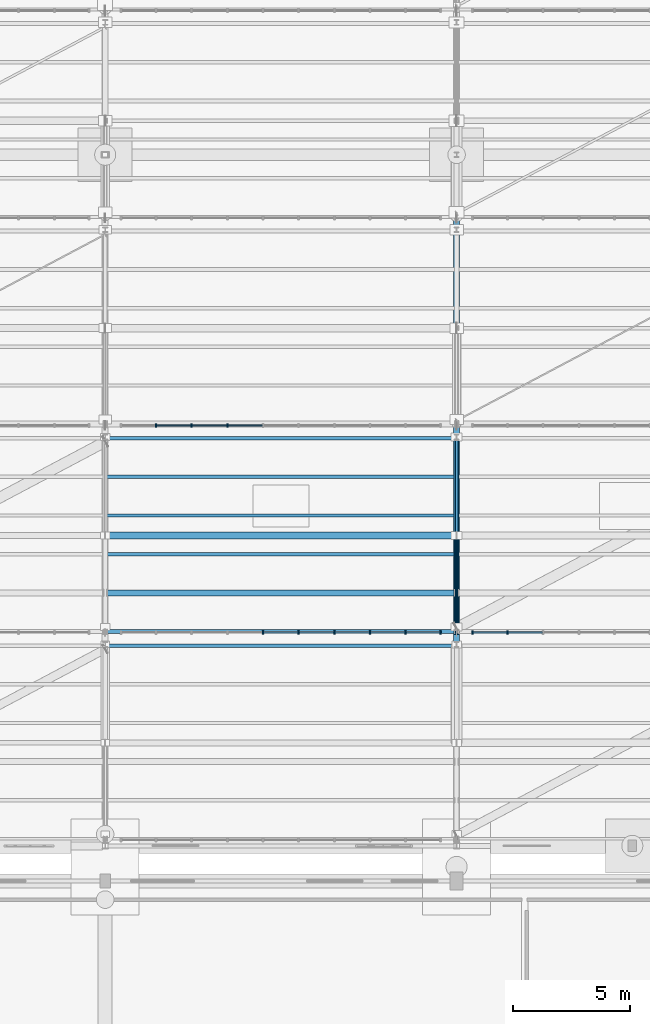
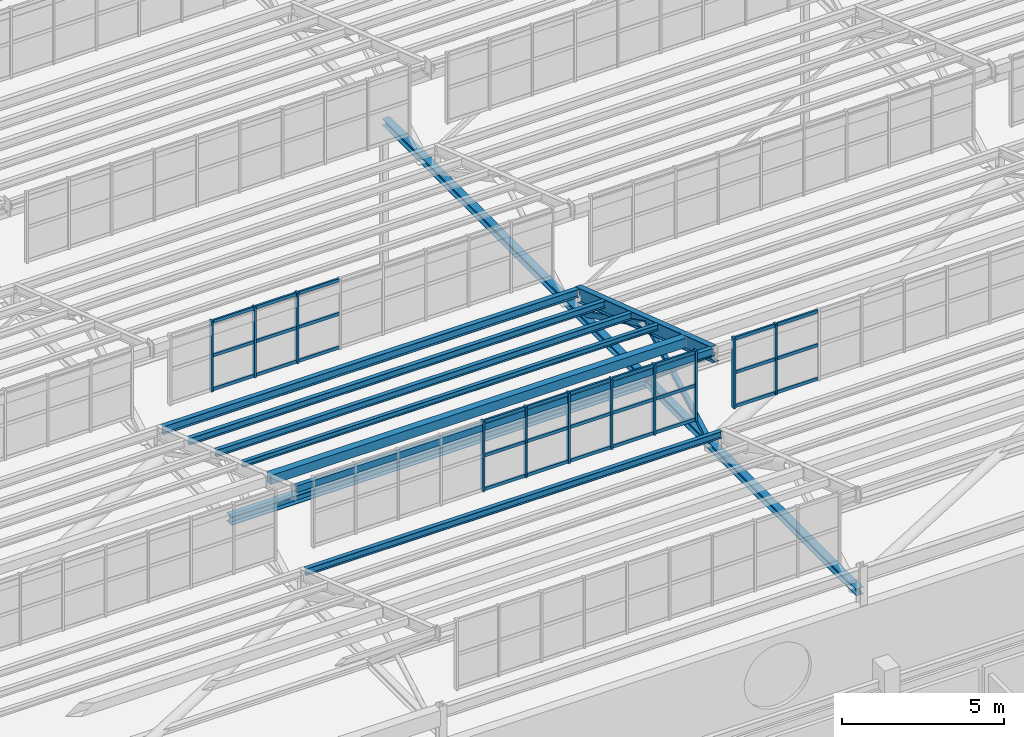
# One storey, part 54 of 285: 45 members, 9 beams, 3 elements without a shape of their own.
"""IFC4 building model written with IfcOpenShell, lengths in metres."""

from ifc_helpers import new_model, si_unit, direction, frame, origin, origin_2d, place, context, subcontext, project, spatial, rectangle, hollow_rectangle, hollow_circle, i_section, extrude, material, material_profile, profile_set, type_object, element, aggregate, save


model = new_model("IFC4")

# Units and contexts
model_context = context("Model", 3, precision=1e-05, world=origin(), true_north=direction((0.0, 1.0)))
body_context = subcontext(model_context, "Body", "Model", "MODEL_VIEW")
ifc_project = project(units=[si_unit("LENGTHUNIT", "METRE"), si_unit("AREAUNIT", "SQUARE_METRE"), si_unit("VOLUMEUNIT", "CUBIC_METRE"), si_unit("PLANEANGLEUNIT", "RADIAN"), si_unit("MASSUNIT", "GRAM", prefix="KILO")], contexts=[model_context])

# Site, building, storey
site_placement = place(None, origin())
site = spatial("IfcSite", under=ifc_project, at=site_placement, CompositionType="ELEMENT")
building_placement = place(site_placement, origin())
building = spatial("IfcBuilding", under=site, at=building_placement, Name="Solanera Park Tramway Depot", CompositionType="ELEMENT")
storey_placement = place(building_placement, origin())
storey = spatial("IfcBuildingStorey", under=building, at=storey_placement, Name="L00", CompositionType="ELEMENT", Elevation=0.0)

# Curtain wall, members
ifc_material_1 = material(Name="Bronze-anodised thermally broken aluminium curtain wall", Category="aluminium")
curtain_wall_type = type_object("IfcCurtainWallType", Name="Sawtooth Clerestory Monitor Curtain Wall", PredefinedType="NOTDEFINED", material=ifc_material_1)
curtain_wall_1_placement = place(storey_placement, origin())
curtain_wall_1 = element("IfcCurtainWall", 1, at=curtain_wall_1_placement, inside=storey, type_object=curtain_wall_type, Name="L00 Sawtooth Clerestory Monitor Curtain Wall #005", PredefinedType="NOTDEFINED")
ifc_material_2 = material(Name="Bronze-anodised structural aluminium 6063-T6", Category="aluminium")
ifc_material_profile_1 = material_profile(ifc_material_2, rectangle(XDim=0.06494140625, YDim=0.14990234375, at=origin_2d()), Name="Curtain Wall Mullion 65x150")
ifc_profile_set_1 = profile_set([ifc_material_profile_1], Name="Bronze-anodised structural aluminium 6063-T6")
member_type_1 = type_object("IfcMemberType", Name="Curtain Wall Mullion 65x150", PredefinedType="MULLION", material=ifc_profile_set_1)
member_1_placement = place(storey_placement, frame((36.739013671875, 64.60009765625, 7.75), z_axis=(0.0, 0.0, 1.0), x_axis=(1.0, 0.0, 0.0)))
member_1 = element("IfcMember", 2, at=member_1_placement, type_object=member_type_1, Name="CW-L00-005 Mullion 5", PredefinedType="MULLION", context=body_context, shape_type="SweptSolid", body=[
    extrude(rectangle(XDim=0.06494140625, YDim=0.14990234375, at=origin_2d()), origin(), (0.0, 0.0, 1.0), 2.6611328125),
])
member_2_placement = place(storey_placement, frame((38.260986328125, 64.60009765625, 7.75), z_axis=(0.0, 0.0, 1.0), x_axis=(1.0, 0.0, 0.0)))
member_2 = element("IfcMember", 3, at=member_2_placement, type_object=member_type_1, Name="CW-L00-005 Mullion 6", PredefinedType="MULLION", context=body_context, shape_type="SweptSolid", body=[
    extrude(rectangle(XDim=0.06494140625, YDim=0.14990234375, at=origin_2d()), origin(), (0.0, 0.0, 1.0), 2.6611328125),
])
member_3_placement = place(storey_placement, frame((39.783203125, 64.60009765625, 7.75), z_axis=(0.0, 0.0, 1.0), x_axis=(1.0, 0.0, 0.0)))
member_3 = element("IfcMember", 4, at=member_3_placement, type_object=member_type_1, Name="CW-L00-005 Mullion 7", PredefinedType="MULLION", context=body_context, shape_type="SweptSolid", body=[
    extrude(rectangle(XDim=0.06494140625, YDim=0.14990234375, at=origin_2d()), origin(), (0.0, 0.0, 1.0), 2.6611328125),
])
member_4_placement = place(storey_placement, frame((41.3056640625, 64.60009765625, 7.75), z_axis=(0.0, 0.0, 1.0), x_axis=(1.0, 0.0, 0.0)))
member_4 = element("IfcMember", 5, at=member_4_placement, type_object=member_type_1, Name="CW-L00-005 Mullion 8", PredefinedType="MULLION", context=body_context, shape_type="SweptSolid", body=[
    extrude(rectangle(XDim=0.06494140625, YDim=0.14990234375, at=origin_2d()), origin(), (0.0, 0.0, 1.0), 2.6611328125),
])
member_5_placement = place(storey_placement, frame((42.827880859375, 64.60009765625, 7.75), z_axis=(0.0, 0.0, 1.0), x_axis=(1.0, 0.0, 0.0)))
member_5 = element("IfcMember", 6, at=member_5_placement, type_object=member_type_1, Name="CW-L00-005 Mullion 9", PredefinedType="MULLION", context=body_context, shape_type="SweptSolid", body=[
    extrude(rectangle(XDim=0.06494140625, YDim=0.14990234375, at=origin_2d()), origin(), (0.0, 0.0, 1.0), 2.6611328125),
])
member_6_placement = place(storey_placement, frame((44.3173828125, 64.60009765625, 7.75), z_axis=(0.0, 0.0, 1.0), x_axis=(1.0, 0.0, 0.0)))
member_6 = element("IfcMember", 7, at=member_6_placement, type_object=member_type_1, Name="CW-L00-005 Mullion 10", PredefinedType="MULLION", context=body_context, shape_type="SweptSolid", body=[
    extrude(rectangle(XDim=0.06494140625, YDim=0.14990234375, at=origin_2d()), origin(), (0.0, 0.0, 1.0), 2.6611328125),
])

curtain_wall_2_placement = place(storey_placement, origin())
curtain_wall_2 = element("IfcCurtainWall", 8, at=curtain_wall_2_placement, inside=storey, type_object=curtain_wall_type, Name="L00 Sawtooth Clerestory Monitor Curtain Wall #006", PredefinedType="NOTDEFINED")
member_7_placement = place(storey_placement, frame((45.6826171875, 64.60009765625, 7.75), z_axis=(0.0, 0.0, 1.0), x_axis=(1.0, 0.0, 0.0)))
member_7 = element("IfcMember", 9, at=member_7_placement, type_object=member_type_1, Name="CW-L00-006 Mullion 1", PredefinedType="MULLION", context=body_context, shape_type="SweptSolid", body=[
    extrude(rectangle(XDim=0.06494140625, YDim=0.14990234375, at=origin_2d()), origin(), (0.0, 0.0, 1.0), 2.6611328125),
])
member_8_placement = place(storey_placement, frame((47.172119140625, 64.60009765625, 7.75), z_axis=(0.0, 0.0, 1.0), x_axis=(1.0, 0.0, 0.0)))
member_8 = element("IfcMember", 10, at=member_8_placement, type_object=member_type_1, Name="CW-L00-006 Mullion 2", PredefinedType="MULLION", context=body_context, shape_type="SweptSolid", body=[
    extrude(rectangle(XDim=0.06494140625, YDim=0.14990234375, at=origin_2d()), origin(), (0.0, 0.0, 1.0), 2.6611328125),
])

curtain_wall_3_placement = place(storey_placement, origin())
curtain_wall_3 = element("IfcCurtainWall", 11, at=curtain_wall_3_placement, inside=storey, type_object=curtain_wall_type, Name="L00 Sawtooth Clerestory Monitor Curtain Wall #013", PredefinedType="NOTDEFINED")
member_9_placement = place(storey_placement, frame((32.172119140625, 73.449951171875, 7.75), z_axis=(0.0, 0.0, 1.0), x_axis=(1.0, 0.0, 0.0)))
member_9 = element("IfcMember", 12, at=member_9_placement, type_object=member_type_1, Name="CW-L00-013 Mullion 2", PredefinedType="MULLION", context=body_context, shape_type="SweptSolid", body=[
    extrude(rectangle(XDim=0.06494140625, YDim=0.14990234375, at=origin_2d()), origin(), (0.0, 0.0, 1.0), 2.6611328125),
])
member_10_placement = place(storey_placement, frame((33.6943359375, 73.449951171875, 7.75), z_axis=(0.0, 0.0, 1.0), x_axis=(1.0, 0.0, 0.0)))
member_10 = element("IfcMember", 13, at=member_10_placement, type_object=member_type_1, Name="CW-L00-013 Mullion 3", PredefinedType="MULLION", context=body_context, shape_type="SweptSolid", body=[
    extrude(rectangle(XDim=0.06494140625, YDim=0.14990234375, at=origin_2d()), origin(), (0.0, 0.0, 1.0), 2.6611328125),
])
member_11_placement = place(storey_placement, frame((35.216796875, 73.449951171875, 7.75), z_axis=(0.0, 0.0, 1.0), x_axis=(1.0, 0.0, 0.0)))
member_11 = element("IfcMember", 14, at=member_11_placement, type_object=member_type_1, Name="CW-L00-013 Mullion 4", PredefinedType="MULLION", context=body_context, shape_type="SweptSolid", body=[
    extrude(rectangle(XDim=0.06494140625, YDim=0.14990234375, at=origin_2d()), origin(), (0.0, 0.0, 1.0), 2.6611328125),
])

# Member
ifc_material_3 = material(Name="Bronze-anodised structural aluminium 6063-T6", Category="aluminium")
ifc_material_profile_2 = material_profile(ifc_material_3, rectangle(XDim=0.06494140625, YDim=0.1201171875, at=origin_2d()), Name="Curtain Wall Transom 65x120")
ifc_profile_set_2 = profile_set([ifc_material_profile_2], Name="Bronze-anodised structural aluminium 6063-T6")
member_type_2 = type_object("IfcMemberType", Name="Curtain Wall Transom 65x120", PredefinedType="USERDEFINED", material=ifc_profile_set_2)
member_12_placement = place(storey_placement, frame((36.766845703125, 64.60009765625, 7.81005859375), z_axis=(1.0, 0.0, 0.0), x_axis=(0.0, 1.0, 0.0)))
member_12 = element("IfcMember", 15, at=member_12_placement, type_object=member_type_2, Name="CW-L00-005 Transom R1.C5", ObjectType="TRANSOM", PredefinedType="USERDEFINED", context=body_context, shape_type="SweptSolid", body=[
    extrude(rectangle(XDim=0.06494140625, YDim=0.1201171875, at=origin_2d()), origin(), (0.0, 0.0, 1.0), 1.46630859375),
])

member_13_placement = place(storey_placement, frame((38.2890625, 64.60009765625, 7.81005859375), z_axis=(1.0, 0.0, 0.0), x_axis=(0.0, 1.0, 0.0)))
member_13 = element("IfcMember", 16, at=member_13_placement, type_object=member_type_2, Name="CW-L00-005 Transom R1.C6", ObjectType="TRANSOM", PredefinedType="USERDEFINED", context=body_context, shape_type="SweptSolid", body=[
    extrude(rectangle(XDim=0.06494140625, YDim=0.1201171875, at=origin_2d()), origin(), (0.0, 0.0, 1.0), 1.46630859375),
])

member_14_placement = place(storey_placement, frame((39.811279296875, 64.60009765625, 7.81005859375), z_axis=(1.0, 0.0, 0.0), x_axis=(0.0, 1.0, 0.0)))
member_14 = element("IfcMember", 17, at=member_14_placement, type_object=member_type_2, Name="CW-L00-005 Transom R1.C7", ObjectType="TRANSOM", PredefinedType="USERDEFINED", context=body_context, shape_type="SweptSolid", body=[
    extrude(rectangle(XDim=0.06494140625, YDim=0.1201171875, at=origin_2d()), origin(), (0.0, 0.0, 1.0), 1.46630859375),
])

member_15_placement = place(storey_placement, frame((41.33349609375, 64.60009765625, 7.81005859375), z_axis=(1.0, 0.0, 0.0), x_axis=(0.0, 1.0, 0.0)))
member_15 = element("IfcMember", 18, at=member_15_placement, type_object=member_type_2, Name="CW-L00-005 Transom R1.C8", ObjectType="TRANSOM", PredefinedType="USERDEFINED", context=body_context, shape_type="SweptSolid", body=[
    extrude(rectangle(XDim=0.06494140625, YDim=0.1201171875, at=origin_2d()), origin(), (0.0, 0.0, 1.0), 1.46630859375),
])

member_16_placement = place(storey_placement, frame((42.855712890625, 64.60009765625, 7.81005859375), z_axis=(1.0, 0.0, 0.0), x_axis=(0.0, 1.0, 0.0)))
member_16 = element("IfcMember", 19, at=member_16_placement, type_object=member_type_2, Name="CW-L00-005 Transom R1.C9", ObjectType="TRANSOM", PredefinedType="USERDEFINED", context=body_context, shape_type="SweptSolid", body=[
    extrude(rectangle(XDim=0.06494140625, YDim=0.1201171875, at=origin_2d()), origin(), (0.0, 0.0, 1.0), 1.433837890625),
])

member_17_placement = place(storey_placement, frame((36.766845703125, 64.60009765625, 9.08056640625), z_axis=(1.0, 0.0, 0.0), x_axis=(0.0, 1.0, 0.0)))
member_17 = element("IfcMember", 20, at=member_17_placement, type_object=member_type_2, Name="CW-L00-005 Transom R2.C5", ObjectType="TRANSOM", PredefinedType="USERDEFINED", context=body_context, shape_type="SweptSolid", body=[
    extrude(rectangle(XDim=0.06494140625, YDim=0.1201171875, at=origin_2d()), origin(), (0.0, 0.0, 1.0), 1.46630859375),
])

member_18_placement = place(storey_placement, frame((38.2890625, 64.60009765625, 9.08056640625), z_axis=(1.0, 0.0, 0.0), x_axis=(0.0, 1.0, 0.0)))
member_18 = element("IfcMember", 21, at=member_18_placement, type_object=member_type_2, Name="CW-L00-005 Transom R2.C6", ObjectType="TRANSOM", PredefinedType="USERDEFINED", context=body_context, shape_type="SweptSolid", body=[
    extrude(rectangle(XDim=0.06494140625, YDim=0.1201171875, at=origin_2d()), origin(), (0.0, 0.0, 1.0), 1.46630859375),
])

member_19_placement = place(storey_placement, frame((39.811279296875, 64.60009765625, 9.08056640625), z_axis=(1.0, 0.0, 0.0), x_axis=(0.0, 1.0, 0.0)))
member_19 = element("IfcMember", 22, at=member_19_placement, type_object=member_type_2, Name="CW-L00-005 Transom R2.C7", ObjectType="TRANSOM", PredefinedType="USERDEFINED", context=body_context, shape_type="SweptSolid", body=[
    extrude(rectangle(XDim=0.06494140625, YDim=0.1201171875, at=origin_2d()), origin(), (0.0, 0.0, 1.0), 1.46630859375),
])

member_20_placement = place(storey_placement, frame((41.33349609375, 64.60009765625, 9.08056640625), z_axis=(1.0, 0.0, 0.0), x_axis=(0.0, 1.0, 0.0)))
member_20 = element("IfcMember", 23, at=member_20_placement, type_object=member_type_2, Name="CW-L00-005 Transom R2.C8", ObjectType="TRANSOM", PredefinedType="USERDEFINED", context=body_context, shape_type="SweptSolid", body=[
    extrude(rectangle(XDim=0.06494140625, YDim=0.1201171875, at=origin_2d()), origin(), (0.0, 0.0, 1.0), 1.46630859375),
])

member_21_placement = place(storey_placement, frame((42.855712890625, 64.60009765625, 9.08056640625), z_axis=(1.0, 0.0, 0.0), x_axis=(0.0, 1.0, 0.0)))
member_21 = element("IfcMember", 24, at=member_21_placement, type_object=member_type_2, Name="CW-L00-005 Transom R2.C9", ObjectType="TRANSOM", PredefinedType="USERDEFINED", context=body_context, shape_type="SweptSolid", body=[
    extrude(rectangle(XDim=0.06494140625, YDim=0.1201171875, at=origin_2d()), origin(), (0.0, 0.0, 1.0), 1.433837890625),
])

member_22_placement = place(storey_placement, frame((36.766845703125, 64.60009765625, 10.351318359375), z_axis=(1.0, 0.0, 0.0), x_axis=(0.0, 1.0, 0.0)))
member_22 = element("IfcMember", 25, at=member_22_placement, type_object=member_type_2, Name="CW-L00-005 Transom R3.C5", ObjectType="TRANSOM", PredefinedType="USERDEFINED", context=body_context, shape_type="SweptSolid", body=[
    extrude(rectangle(XDim=0.06494140625, YDim=0.1201171875, at=origin_2d()), origin(), (0.0, 0.0, 1.0), 1.46630859375),
])

member_23_placement = place(storey_placement, frame((38.2890625, 64.60009765625, 10.351318359375), z_axis=(1.0, 0.0, 0.0), x_axis=(0.0, 1.0, 0.0)))
member_23 = element("IfcMember", 26, at=member_23_placement, type_object=member_type_2, Name="CW-L00-005 Transom R3.C6", ObjectType="TRANSOM", PredefinedType="USERDEFINED", context=body_context, shape_type="SweptSolid", body=[
    extrude(rectangle(XDim=0.06494140625, YDim=0.1201171875, at=origin_2d()), origin(), (0.0, 0.0, 1.0), 1.46630859375),
])

member_24_placement = place(storey_placement, frame((39.811279296875, 64.60009765625, 10.351318359375), z_axis=(1.0, 0.0, 0.0), x_axis=(0.0, 1.0, 0.0)))
member_24 = element("IfcMember", 27, at=member_24_placement, type_object=member_type_2, Name="CW-L00-005 Transom R3.C7", ObjectType="TRANSOM", PredefinedType="USERDEFINED", context=body_context, shape_type="SweptSolid", body=[
    extrude(rectangle(XDim=0.06494140625, YDim=0.1201171875, at=origin_2d()), origin(), (0.0, 0.0, 1.0), 1.46630859375),
])

member_25_placement = place(storey_placement, frame((41.33349609375, 64.60009765625, 10.351318359375), z_axis=(1.0, 0.0, 0.0), x_axis=(0.0, 1.0, 0.0)))
member_25 = element("IfcMember", 28, at=member_25_placement, type_object=member_type_2, Name="CW-L00-005 Transom R3.C8", ObjectType="TRANSOM", PredefinedType="USERDEFINED", context=body_context, shape_type="SweptSolid", body=[
    extrude(rectangle(XDim=0.06494140625, YDim=0.1201171875, at=origin_2d()), origin(), (0.0, 0.0, 1.0), 1.46630859375),
])

member_26_placement = place(storey_placement, frame((42.855712890625, 64.60009765625, 10.351318359375), z_axis=(1.0, 0.0, 0.0), x_axis=(0.0, 1.0, 0.0)))
member_26 = element("IfcMember", 29, at=member_26_placement, type_object=member_type_2, Name="CW-L00-005 Transom R3.C9", ObjectType="TRANSOM", PredefinedType="USERDEFINED", context=body_context, shape_type="SweptSolid", body=[
    extrude(rectangle(XDim=0.06494140625, YDim=0.1201171875, at=origin_2d()), origin(), (0.0, 0.0, 1.0), 1.433837890625),
])

aggregate(curtain_wall_1, [member_1, member_2, member_3, member_4, member_5, member_6, member_12, member_13, member_14, member_15, member_16, member_17, member_18, member_19, member_20, member_21, member_22, member_23, member_24, member_25, member_26])

member_27_placement = place(storey_placement, frame((45.71044921875, 64.60009765625, 7.81005859375), z_axis=(1.0, 0.0, 0.0), x_axis=(0.0, 1.0, 0.0)))
member_27 = element("IfcMember", 30, at=member_27_placement, type_object=member_type_2, Name="CW-L00-006 Transom R1.C1", ObjectType="TRANSOM", PredefinedType="USERDEFINED", context=body_context, shape_type="SweptSolid", body=[
    extrude(rectangle(XDim=0.06494140625, YDim=0.1201171875, at=origin_2d()), origin(), (0.0, 0.0, 1.0), 1.433837890625),
])

member_28_placement = place(storey_placement, frame((47.2001953125, 64.60009765625, 7.81005859375), z_axis=(1.0, 0.0, 0.0), x_axis=(0.0, 1.0, 0.0)))
member_28 = element("IfcMember", 31, at=member_28_placement, type_object=member_type_2, Name="CW-L00-006 Transom R1.C2", ObjectType="TRANSOM", PredefinedType="USERDEFINED", context=body_context, shape_type="SweptSolid", body=[
    extrude(rectangle(XDim=0.06494140625, YDim=0.1201171875, at=origin_2d()), origin(), (0.0, 0.0, 1.0), 1.46630859375),
])

member_29_placement = place(storey_placement, frame((45.71044921875, 64.60009765625, 9.08056640625), z_axis=(1.0, 0.0, 0.0), x_axis=(0.0, 1.0, 0.0)))
member_29 = element("IfcMember", 32, at=member_29_placement, type_object=member_type_2, Name="CW-L00-006 Transom R2.C1", ObjectType="TRANSOM", PredefinedType="USERDEFINED", context=body_context, shape_type="SweptSolid", body=[
    extrude(rectangle(XDim=0.06494140625, YDim=0.1201171875, at=origin_2d()), origin(), (0.0, 0.0, 1.0), 1.433837890625),
])

member_30_placement = place(storey_placement, frame((47.2001953125, 64.60009765625, 9.08056640625), z_axis=(1.0, 0.0, 0.0), x_axis=(0.0, 1.0, 0.0)))
member_30 = element("IfcMember", 33, at=member_30_placement, type_object=member_type_2, Name="CW-L00-006 Transom R2.C2", ObjectType="TRANSOM", PredefinedType="USERDEFINED", context=body_context, shape_type="SweptSolid", body=[
    extrude(rectangle(XDim=0.06494140625, YDim=0.1201171875, at=origin_2d()), origin(), (0.0, 0.0, 1.0), 1.46630859375),
])

member_31_placement = place(storey_placement, frame((45.71044921875, 64.60009765625, 10.351318359375), z_axis=(1.0, 0.0, 0.0), x_axis=(0.0, 1.0, 0.0)))
member_31 = element("IfcMember", 34, at=member_31_placement, type_object=member_type_2, Name="CW-L00-006 Transom R3.C1", ObjectType="TRANSOM", PredefinedType="USERDEFINED", context=body_context, shape_type="SweptSolid", body=[
    extrude(rectangle(XDim=0.06494140625, YDim=0.1201171875, at=origin_2d()), origin(), (0.0, 0.0, 1.0), 1.433837890625),
])

member_32_placement = place(storey_placement, frame((47.2001953125, 64.60009765625, 10.351318359375), z_axis=(1.0, 0.0, 0.0), x_axis=(0.0, 1.0, 0.0)))
member_32 = element("IfcMember", 35, at=member_32_placement, type_object=member_type_2, Name="CW-L00-006 Transom R3.C2", ObjectType="TRANSOM", PredefinedType="USERDEFINED", context=body_context, shape_type="SweptSolid", body=[
    extrude(rectangle(XDim=0.06494140625, YDim=0.1201171875, at=origin_2d()), origin(), (0.0, 0.0, 1.0), 1.46630859375),
])

aggregate(curtain_wall_2, [member_7, member_8, member_27, member_28, member_29, member_30, member_31, member_32])

member_33_placement = place(storey_placement, frame((32.2001953125, 73.449951171875, 7.81005859375), z_axis=(1.0, 0.0, 0.0), x_axis=(0.0, 1.0, 0.0)))
member_33 = element("IfcMember", 36, at=member_33_placement, type_object=member_type_2, Name="CW-L00-013 Transom R1.C2", ObjectType="TRANSOM", PredefinedType="USERDEFINED", context=body_context, shape_type="SweptSolid", body=[
    extrude(rectangle(XDim=0.06494140625, YDim=0.1201171875, at=origin_2d()), origin(), (0.0, 0.0, 1.0), 1.46630859375),
])

member_34_placement = place(storey_placement, frame((33.722412109375, 73.449951171875, 7.81005859375), z_axis=(1.0, 0.0, 0.0), x_axis=(0.0, 1.0, 0.0)))
member_34 = element("IfcMember", 37, at=member_34_placement, type_object=member_type_2, Name="CW-L00-013 Transom R1.C3", ObjectType="TRANSOM", PredefinedType="USERDEFINED", context=body_context, shape_type="SweptSolid", body=[
    extrude(rectangle(XDim=0.06494140625, YDim=0.1201171875, at=origin_2d()), origin(), (0.0, 0.0, 1.0), 1.46630859375),
])

member_35_placement = place(storey_placement, frame((35.24462890625, 73.449951171875, 7.81005859375), z_axis=(1.0, 0.0, 0.0), x_axis=(0.0, 1.0, 0.0)))
member_35 = element("IfcMember", 38, at=member_35_placement, type_object=member_type_2, Name="CW-L00-013 Transom R1.C4", ObjectType="TRANSOM", PredefinedType="USERDEFINED", context=body_context, shape_type="SweptSolid", body=[
    extrude(rectangle(XDim=0.06494140625, YDim=0.1201171875, at=origin_2d()), origin(), (0.0, 0.0, 1.0), 1.46630859375),
])

member_36_placement = place(storey_placement, frame((32.2001953125, 73.449951171875, 9.08056640625), z_axis=(1.0, 0.0, 0.0), x_axis=(0.0, 1.0, 0.0)))
member_36 = element("IfcMember", 39, at=member_36_placement, type_object=member_type_2, Name="CW-L00-013 Transom R2.C2", ObjectType="TRANSOM", PredefinedType="USERDEFINED", context=body_context, shape_type="SweptSolid", body=[
    extrude(rectangle(XDim=0.06494140625, YDim=0.1201171875, at=origin_2d()), origin(), (0.0, 0.0, 1.0), 1.46630859375),
])

member_37_placement = place(storey_placement, frame((33.722412109375, 73.449951171875, 9.08056640625), z_axis=(1.0, 0.0, 0.0), x_axis=(0.0, 1.0, 0.0)))
member_37 = element("IfcMember", 40, at=member_37_placement, type_object=member_type_2, Name="CW-L00-013 Transom R2.C3", ObjectType="TRANSOM", PredefinedType="USERDEFINED", context=body_context, shape_type="SweptSolid", body=[
    extrude(rectangle(XDim=0.06494140625, YDim=0.1201171875, at=origin_2d()), origin(), (0.0, 0.0, 1.0), 1.46630859375),
])

member_38_placement = place(storey_placement, frame((35.24462890625, 73.449951171875, 9.08056640625), z_axis=(1.0, 0.0, 0.0), x_axis=(0.0, 1.0, 0.0)))
member_38 = element("IfcMember", 41, at=member_38_placement, type_object=member_type_2, Name="CW-L00-013 Transom R2.C4", ObjectType="TRANSOM", PredefinedType="USERDEFINED", context=body_context, shape_type="SweptSolid", body=[
    extrude(rectangle(XDim=0.06494140625, YDim=0.1201171875, at=origin_2d()), origin(), (0.0, 0.0, 1.0), 1.46630859375),
])

member_39_placement = place(storey_placement, frame((32.2001953125, 73.449951171875, 10.351318359375), z_axis=(1.0, 0.0, 0.0), x_axis=(0.0, 1.0, 0.0)))
member_39 = element("IfcMember", 42, at=member_39_placement, type_object=member_type_2, Name="CW-L00-013 Transom R3.C2", ObjectType="TRANSOM", PredefinedType="USERDEFINED", context=body_context, shape_type="SweptSolid", body=[
    extrude(rectangle(XDim=0.06494140625, YDim=0.1201171875, at=origin_2d()), origin(), (0.0, 0.0, 1.0), 1.46630859375),
])

member_40_placement = place(storey_placement, frame((33.722412109375, 73.449951171875, 10.351318359375), z_axis=(1.0, 0.0, 0.0), x_axis=(0.0, 1.0, 0.0)))
member_40 = element("IfcMember", 43, at=member_40_placement, type_object=member_type_2, Name="CW-L00-013 Transom R3.C3", ObjectType="TRANSOM", PredefinedType="USERDEFINED", context=body_context, shape_type="SweptSolid", body=[
    extrude(rectangle(XDim=0.06494140625, YDim=0.1201171875, at=origin_2d()), origin(), (0.0, 0.0, 1.0), 1.46630859375),
])

member_41_placement = place(storey_placement, frame((35.24462890625, 73.449951171875, 10.351318359375), z_axis=(1.0, 0.0, 0.0), x_axis=(0.0, 1.0, 0.0)))
member_41 = element("IfcMember", 44, at=member_41_placement, type_object=member_type_2, Name="CW-L00-013 Transom R3.C4", ObjectType="TRANSOM", PredefinedType="USERDEFINED", context=body_context, shape_type="SweptSolid", body=[
    extrude(rectangle(XDim=0.06494140625, YDim=0.1201171875, at=origin_2d()), origin(), (0.0, 0.0, 1.0), 1.46630859375),
])

aggregate(curtain_wall_3, [member_9, member_10, member_11, member_33, member_34, member_35, member_36, member_37, member_38, member_39, member_40, member_41])

# Members
ifc_material_4 = material(Name="Steel AS/NZS 1163 Grade C350L0", Category="steel")
ifc_material_profile_3 = material_profile(ifc_material_4, hollow_rectangle(XDim=0.14990234375, YDim=0.14990234375, WallThickness=0.006103515625, at=origin_2d()), Name="150x150x6.0 SHS")
ifc_profile_set_3 = profile_set([ifc_material_profile_3], Name="Steel AS/NZS 1163 Grade C350L0")
member_type_3 = type_object("IfcMemberType", Name="Roof Gantry Compression Strut 150x150x6.0 SHS", PredefinedType="STRUT", material=ifc_profile_set_3)
member_42_placement = place(storey_placement, frame((45.0, 64.85009765625, 6.5), z_axis=(0.0, 0.877666599941, 0.479271675929), x_axis=(-1.0, 0.0, 0.0)))
element("IfcMember", 45, at=member_42_placement, inside=storey, type_object=member_type_3, Name="Sawtooth ROOF TRUSS Strut 150x150x6.0 SHS #0054", PredefinedType="STRUT", context=body_context, shape_type="SweptSolid", body=[
    extrude(hollow_rectangle(XDim=0.14990234375, YDim=0.14990234375, WallThickness=0.006103515625, at=origin_2d()), origin(), (0.0, 0.0, 1.0), 4.443603515625),
])
ifc_material_5 = material(Name="Steel AS/NZS 3679.1 Grade 350", Category="steel")
ifc_material_profile_4 = material_profile(ifc_material_5, i_section(OverallWidth=0.306884765625, OverallDepth=0.314697265625, WebThickness=0.011962890625, FlangeThickness=0.018798828125, at=origin_2d()), Name="310UC118")
ifc_profile_set_4 = profile_set([ifc_material_profile_4], Name="Steel AS/NZS 3679.1 Grade 350")
member_type_4 = type_object("IfcMemberType", Name="Secondary Truss Chord 310UC118", PredefinedType="CHORD", material=ifc_profile_set_4)
member_43_placement = place(storey_placement, frame((30.087890625, 68.75, 6.5), z_axis=(1.0, 0.0, 0.0), x_axis=(0.0, 1.0, 0.0)))
element("IfcMember", 46, at=member_43_placement, inside=storey, type_object=member_type_4, Name="Sawtooth Longitudinal Tie Chord 310UC118 #0075", PredefinedType="CHORD", context=body_context, shape_type="SweptSolid", body=[
    extrude(i_section(OverallWidth=0.306884765625, OverallDepth=0.314697265625, WebThickness=0.011962890625, FlangeThickness=0.018798828125, at=origin_2d()), origin(), (0.0, 0.0, 1.0), 14.82421875),
])

# Beams
ifc_material_6 = material(Name="Steel AS/NZS 3679.1 Grade 350", Category="steel")
ifc_material_profile_5 = material_profile(ifc_material_6, i_section(OverallWidth=0.255615234375, OverallDepth=0.260009765625, WebThickness=0.010498046875, FlangeThickness=0.017333984375, at=origin_2d()), Name="250UC89.5")
ifc_profile_set_5 = profile_set([ifc_material_profile_5], Name="Steel AS/NZS 3679.1 Grade 350")
beam_type_1 = type_object("IfcBeamType", Name="Steel Beam 250UC89.5", PredefinedType="BEAM", material=ifc_profile_set_5)
beam_1_placement = place(storey_placement, frame((45.0, 55.6279296875, 6.5), z_axis=(0.0, 1.0, 0.0), x_axis=(-1.0, 0.0, 0.0)))
element("IfcBeam", 47, at=beam_1_placement, inside=storey, type_object=beam_type_1, Name="Sawtooth ROOF TRUSS Bottom Chord 250UC89.5 #0376", PredefinedType="BEAM", context=body_context, shape_type="SweptSolid", body=[
    extrude(i_section(OverallWidth=0.255615234375, OverallDepth=0.260009765625, WebThickness=0.010498046875, FlangeThickness=0.017333984375, at=origin_2d()), origin(), (0.0, 0.0, 1.0), 29.270263671875),
])
ifc_material_7 = material(Name="Steel AS/NZS 3679.1 Grade 350", Category="steel")
ifc_material_profile_6 = material_profile(ifc_material_7, i_section(OverallWidth=0.209228515625, OverallDepth=0.532958984375, WebThickness=0.01025390625, FlangeThickness=0.015625, at=origin_2d()), Name="530UB92.4")
ifc_profile_set_6 = profile_set([ifc_material_profile_6], Name="Steel AS/NZS 3679.1 Grade 350")
beam_type_2 = type_object("IfcBeamType", Name="Steel Beam 530UB92.4", PredefinedType="BEAM", material=ifc_profile_set_6)
beam_2_placement = place(storey_placement, frame((45.0, 64.60009765625, 10.018310546875), z_axis=(0.0, 0.948319437663, -0.317317261034), x_axis=(-1.0, 0.0, 0.0)))
element("IfcBeam", 48, at=beam_2_placement, inside=storey, type_object=beam_type_2, Name="Sawtooth ROOF TRUSS Top Rafter 530UB92.4 B02-T3", PredefinedType="BEAM", context=body_context, shape_type="SweptSolid", body=[
    extrude(i_section(OverallWidth=0.209228515625, OverallDepth=0.532958984375, WebThickness=0.01025390625, FlangeThickness=0.015625, at=origin_2d()), origin(), (0.0, 0.0, 1.0), 8.804931640625),
])
ifc_material_8 = material(Name="Steel AS/NZS 3679.1 Grade 350", Category="steel")
ifc_material_profile_7 = material_profile(ifc_material_8, i_section(OverallWidth=0.13330078125, OverallDepth=0.203125, WebThickness=0.005859375, FlangeThickness=0.0078125, at=origin_2d()), Name="200UB25.4")
ifc_profile_set_7 = profile_set([ifc_material_profile_7], Name="Steel AS/NZS 3679.1 Grade 350")
beam_type_3 = type_object("IfcBeamType", Name="Steel Joist Purlin 200UB25.4", PredefinedType="JOIST", material=ifc_profile_set_7)
beam_3_placement = place(storey_placement, frame((30.087158203125, 67.949951171875, 9.06201171875), z_axis=(1.0, 0.0, 0.0), x_axis=(0.0, 1.0, 0.0)))
element("IfcBeam", 49, at=beam_3_placement, inside=storey, type_object=beam_type_3, Name="Sawtooth Roof Purlin 200UB25.4 B02.3", PredefinedType="JOIST", context=body_context, shape_type="SweptSolid", body=[
    extrude(i_section(OverallWidth=0.13330078125, OverallDepth=0.203125, WebThickness=0.005859375, FlangeThickness=0.0078125, at=origin_2d()), origin(), (0.0, 0.0, 1.0), 14.816162109375),
])
ifc_material_9 = material(Name="Steel AS/NZS 3679.1 Grade 350", Category="steel")
ifc_material_profile_8 = material_profile(ifc_material_9, i_section(OverallWidth=0.14599609375, OverallDepth=0.251708984375, WebThickness=0.006103515625, FlangeThickness=0.008544921875, at=origin_2d()), Name="250UB31.4")
ifc_profile_set_8 = profile_set([ifc_material_profile_8], Name="Steel AS/NZS 3679.1 Grade 350")
beam_type_4 = type_object("IfcBeamType", Name="Steel Joist Purlin 250UB31.4", PredefinedType="JOIST", material=ifc_profile_set_8)
beam_4_placement = place(storey_placement, frame((30.087158203125, 69.60009765625, 8.483642578125), z_axis=(1.0, 0.0, 0.0), x_axis=(0.0, 1.0, 0.0)))
element("IfcBeam", 50, at=beam_4_placement, inside=storey, type_object=beam_type_4, Name="Sawtooth Roof Purlin 250UB31.4 B02.4", PredefinedType="JOIST", context=body_context, shape_type="SweptSolid", body=[
    extrude(i_section(OverallWidth=0.14599609375, OverallDepth=0.251708984375, WebThickness=0.006103515625, FlangeThickness=0.008544921875, at=origin_2d()), origin(), (0.0, 0.0, 1.0), 14.816162109375),
])
ifc_material_10 = material(Name="Steel AS/NZS 3679.1 Grade 350", Category="steel")
ifc_material_profile_9 = material_profile(ifc_material_10, i_section(OverallWidth=0.146484375, OverallDepth=0.256103515625, WebThickness=0.00634765625, FlangeThickness=0.010986328125, at=origin_2d()), Name="250UB37.3")
ifc_profile_set_9 = profile_set([ifc_material_profile_9], Name="Steel AS/NZS 3679.1 Grade 350")
beam_type_5 = type_object("IfcBeamType", Name="Steel Joist Purlin 250UB37.3", PredefinedType="JOIST", material=ifc_profile_set_9)
beam_5_placement = place(storey_placement, frame((30.080810546875, 64.050048828125, 7.377197265625), z_axis=(1.0, 0.0, 0.0), x_axis=(0.0, 1.0, 0.0)))
element("IfcBeam", 51, at=beam_5_placement, inside=storey, type_object=beam_type_5, Name="Sawtooth Roof Purlin 250UB37.3 B01.6", PredefinedType="JOIST", context=body_context, shape_type="SweptSolid", body=[
    extrude(i_section(OverallWidth=0.146484375, OverallDepth=0.256103515625, WebThickness=0.00634765625, FlangeThickness=0.010986328125, at=origin_2d()), origin(), (0.0, 0.0, 1.0), 14.83203125),
])
beam_6_placement = place(storey_placement, frame((30.087158203125, 71.25, 7.92919921875), z_axis=(1.0, 0.0, 0.0), x_axis=(0.0, 1.0, 0.0)))
element("IfcBeam", 52, at=beam_6_placement, inside=storey, type_object=beam_type_5, Name="Sawtooth Roof Purlin 250UB37.3 B02.5", PredefinedType="JOIST", context=body_context, shape_type="SweptSolid", body=[
    extrude(i_section(OverallWidth=0.146484375, OverallDepth=0.256103515625, WebThickness=0.00634765625, FlangeThickness=0.010986328125, at=origin_2d()), origin(), (0.0, 0.0, 1.0), 14.816162109375),
])
ifc_material_11 = material(Name="Steel AS/NZS 1163 Grade C350L0", Category="steel")
ifc_material_profile_10 = material_profile(ifc_material_11, hollow_rectangle(XDim=0.14990234375, YDim=0.25, WallThickness=0.008056640625, at=origin_2d()), Name="250x150x8.0 RHS")
ifc_profile_set_10 = profile_set([ifc_material_profile_10], Name="Steel AS/NZS 1163 Grade C350L0")
beam_type_6 = type_object("IfcBeamType", Name="Steel Joist Purlin 250x150x8.0 RHS", PredefinedType="JOIST", material=ifc_profile_set_10)
beam_7_placement = place(storey_placement, frame((30.087158203125, 64.64990234375, 10.139892578125), z_axis=(1.0, 0.0, 0.0), x_axis=(0.0, 1.0, 0.0)))
element("IfcBeam", 53, at=beam_7_placement, inside=storey, type_object=beam_type_6, Name="Sawtooth Roof Purlin 250x150x8.0 RHS B02.1", PredefinedType="JOIST", context=body_context, shape_type="SweptSolid", body=[
    extrude(hollow_rectangle(XDim=0.14990234375, YDim=0.25, WallThickness=0.008056640625, at=origin_2d()), origin(), (0.0, 0.0, 1.0), 14.816162109375),
])
ifc_material_12 = material(Name="Steel AS/NZS 3679.1 Grade 350", Category="steel")
ifc_material_profile_11 = material_profile(ifc_material_12, i_section(OverallWidth=0.1650390625, OverallDepth=0.3037109375, WebThickness=0.006103515625, FlangeThickness=0.01025390625, at=origin_2d()), Name="310UB40.4")
ifc_profile_set_11 = profile_set([ifc_material_profile_11], Name="Steel AS/NZS 3679.1 Grade 350")
beam_type_7 = type_object("IfcBeamType", Name="Steel Joist Purlin 310UB40.4", PredefinedType="JOIST", material=ifc_profile_set_11)
beam_8_placement = place(storey_placement, frame((30.087158203125, 72.89990234375, 7.35009765625), z_axis=(1.0, 0.0, 0.0), x_axis=(0.0, 1.0, 0.0)))
element("IfcBeam", 54, at=beam_8_placement, inside=storey, type_object=beam_type_7, Name="Sawtooth Roof Purlin 310UB40.4 B02.6", PredefinedType="JOIST", context=body_context, shape_type="SweptSolid", body=[
    extrude(i_section(OverallWidth=0.1650390625, OverallDepth=0.3037109375, WebThickness=0.006103515625, FlangeThickness=0.01025390625, at=origin_2d()), origin(), (0.0, 0.0, 1.0), 14.816162109375),
])
ifc_material_13 = material(Name="Steel AS/NZS 1163 Grade C350L0", Category="steel")
ifc_material_profile_12 = material_profile(ifc_material_13, hollow_rectangle(XDim=0.25, YDim=0.35009765625, WallThickness=0.010009765625, at=origin_2d()), Name="350x250x10.0 RHS")
ifc_profile_set_12 = profile_set([ifc_material_profile_12], Name="Steel AS/NZS 1163 Grade C350L0")
beam_type_8 = type_object("IfcBeamType", Name="Steel Joist Purlin 350x250x10.0 RHS", PredefinedType="JOIST", material=ifc_profile_set_12)
beam_9_placement = place(storey_placement, frame((30.087158203125, 66.300048828125, 9.521240234375), z_axis=(1.0, 0.0, 0.0), x_axis=(0.0, 1.0, 0.0)))
element("IfcBeam", 55, at=beam_9_placement, inside=storey, type_object=beam_type_8, Name="Sawtooth Roof Purlin 350x250x10.0 RHS B02.2", PredefinedType="JOIST", context=body_context, shape_type="SweptSolid", body=[
    extrude(hollow_rectangle(XDim=0.25, YDim=0.35009765625, WallThickness=0.010009765625, at=origin_2d()), origin(), (0.0, 0.0, 1.0), 14.816162109375),
])

# Members
ifc_material_14 = material(Name="Steel AS/NZS 1163 Grade C350L0", Category="steel")
ifc_material_profile_13 = material_profile(ifc_material_14, hollow_circle(Radius=0.05712890625, WallThickness=0.0048828125, at=origin_2d()), Name="114.3x4.8 CHS")
ifc_profile_set_13 = profile_set([ifc_material_profile_13], Name="Steel AS/NZS 1163 Grade C350L0")
member_type_5 = type_object("IfcMemberType", Name="Truss and Frame Brace 114.3x4.8 CHS", PredefinedType="BRACE", material=ifc_profile_set_13)
member_44_placement = place(storey_placement, frame((45.0, 68.75, 6.5), z_axis=(0.0, -0.762764662408, 0.646676170724), x_axis=(1.0, 0.0, 0.0)))
element("IfcMember", 56, at=member_44_placement, inside=storey, type_object=member_type_5, Name="Sawtooth ROOF TRUSS Web Brace 114.3x4.8 CHS #0052", PredefinedType="BRACE", context=body_context, shape_type="SweptSolid", body=[
    extrude(hollow_circle(Radius=0.05712890625, WallThickness=0.0048828125, at=origin_2d()), origin(), (0.0, 0.0, 1.0), 5.440673828125),
])
ifc_material_15 = material(Name="Steel AS/NZS 1163 Grade C350L0", Category="steel")
ifc_material_profile_14 = material_profile(ifc_material_15, hollow_rectangle(XDim=0.10009765625, YDim=0.199951171875, WallThickness=0.006103515625, at=origin_2d()), Name="200x100x6.0 RHS")
ifc_profile_set_14 = profile_set([ifc_material_profile_14], Name="Steel AS/NZS 1163 Grade C350L0")
member_type_6 = type_object("IfcMemberType", Name="Truss and Frame Brace 200x100x6.0 RHS", PredefinedType="BRACE", material=ifc_profile_set_14)
member_45_placement = place(storey_placement, frame((45.0, 72.949951171875, 6.5), z_axis=(0.0, -0.891893316909, 0.452245852665), x_axis=(1.0, 0.0, 0.0)))
element("IfcMember", 57, at=member_45_placement, inside=storey, type_object=member_type_6, Name="Sawtooth ROOF TRUSS Diagonal 200x100x6.0 RHS #0053", PredefinedType="BRACE", context=body_context, shape_type="SweptSolid", body=[
    extrude(hollow_rectangle(XDim=0.10009765625, YDim=0.199951171875, WallThickness=0.006103515625, at=origin_2d()), origin(), (0.0, 0.0, 1.0), 4.708984375),
])

save(model, "model.ifc")
